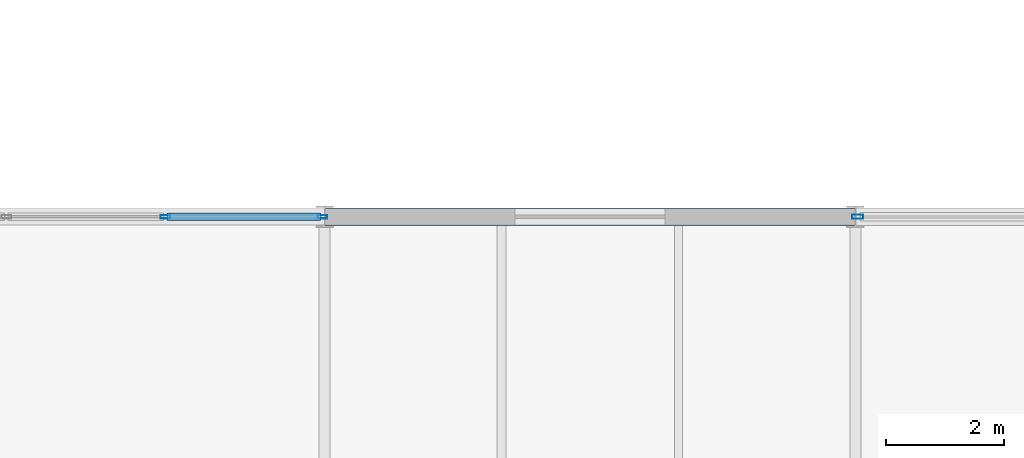
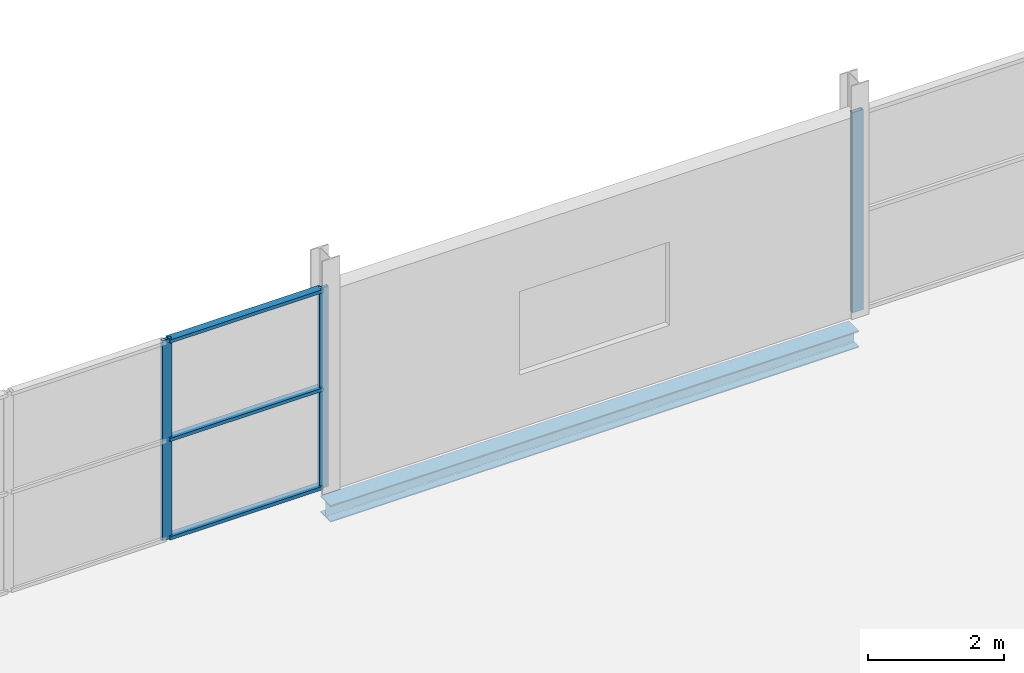
# One storey, part 69 of 103: 6 members, 1 beam, 2 elements without a shape of their own.
"""IFC4 building model written with IfcOpenShell, lengths in metres."""

from ifc_helpers import new_model, si_unit, direction, frame, origin, origin_2d, place, context, subcontext, project, spatial, hollow_rectangle, i_section, extrude, material, layer, layer_set, material_profile, profile_set, type_object, element, aggregate, save


model = new_model("IFC4")

# Units and contexts
model_context = context("Model", 3, precision=1e-05, world=origin(), true_north=direction((0.0, 1.0)))
body_context = subcontext(model_context, "Body", "Model", "MODEL_VIEW")
ifc_project = project(units=[si_unit("LENGTHUNIT", "METRE"), si_unit("AREAUNIT", "SQUARE_METRE"), si_unit("VOLUMEUNIT", "CUBIC_METRE"), si_unit("PLANEANGLEUNIT", "RADIAN"), si_unit("MASSUNIT", "GRAM", prefix="KILO")], contexts=[model_context])

# Site, building, storey
site_placement = place(None, origin())
site = spatial("IfcSite", under=ifc_project, at=site_placement, CompositionType="ELEMENT")
building_placement = place(site_placement, origin())
building = spatial("IfcBuilding", under=site, at=building_placement, Name="Deido Ridge Mobility Hub", CompositionType="ELEMENT")
storey_placement = place(building_placement, frame((0.0, 0.0, 12.60009765625)))
storey = spatial("IfcBuildingStorey", under=building, at=storey_placement, Name="L03", CompositionType="ELEMENT", Elevation=12.60009765625)

# Curtain wall, members
ifc_material_1 = material(Name="Anodised aluminium EN AW-6063 T6", Category="aluminium")
ifc_layer_1 = layer(ifc_material_1, 0.16796875, Name="Anodised aluminium EN AW-6063 T6")
ifc_layer_set_1 = layer_set([ifc_layer_1], Name="Anodised aluminium EN AW-6063 T6")
curtain_wall_type_1 = type_object("IfcCurtainWallType", Name="CW-GS-4", PredefinedType="USERDEFINED", material=ifc_layer_set_1)
curtain_wall_1_placement = place(storey_placement, origin())
curtain_wall_1 = element("IfcCurtainWall", 1, at=curtain_wall_1_placement, inside=storey, type_object=curtain_wall_type_1, Name="Unitised curtain wall GS4", ObjectType="GLAZED SCREEN", PredefinedType="USERDEFINED")
ifc_material_profile_1 = material_profile(ifc_material_1, hollow_rectangle(XDim=0.06005859375, YDim=0.159912109375, WallThickness=0.00390625, at=origin_2d()), Name="RHS 60x160x4")
ifc_profile_set_1 = profile_set([ifc_material_profile_1], Name="Anodised aluminium EN AW-6063 T6")
member_type_1 = type_object("IfcMemberType", Name="MEM-MUL-60X160", PredefinedType="MULLION", material=ifc_profile_set_1)
member_1_placement = place(storey_placement, frame((159.2978515625, 72.0, 0.0), z_axis=(0.0, 0.0, 1.0), x_axis=(0.0, 1.0, 0.0)))
member_1 = element("IfcMember", 2, at=member_1_placement, type_object=member_type_1, Name="GS4 mullion 3", PredefinedType="MULLION", context=body_context, shape_type="SweptSolid", body=[
    extrude(hollow_rectangle(XDim=0.06005859375, YDim=0.159912109375, WallThickness=0.00390625, at=origin_2d()), origin(), (0.0, 0.0, 1.0), 3.599853515625),
])
member_2_placement = place(storey_placement, frame((161.9638671875, 72.0, 0.0), z_axis=(0.0, 0.0, 1.0), x_axis=(0.0, 1.0, 0.0)))
member_2 = element("IfcMember", 3, at=member_2_placement, type_object=member_type_1, Name="GS4 mullion 4", PredefinedType="MULLION", context=body_context, shape_type="SweptSolid", body=[
    extrude(hollow_rectangle(XDim=0.06005859375, YDim=0.159912109375, WallThickness=0.00390625, at=origin_2d()), origin(), (0.0, 0.0, 1.0), 3.599853515625),
])

# Curtain wall, member
ifc_layer_2 = layer(ifc_material_1, 0.14404296875, Name="Anodised aluminium EN AW-6063 T6")
ifc_layer_set_2 = layer_set([ifc_layer_2], Name="Anodised aluminium EN AW-6063 T6")
curtain_wall_type_2 = type_object("IfcCurtainWallType", Name="CW-GS-2", PredefinedType="USERDEFINED", material=ifc_layer_set_2)
curtain_wall_2_placement = place(storey_placement, origin())
curtain_wall_2 = element("IfcCurtainWall", 4, at=curtain_wall_2_placement, inside=storey, type_object=curtain_wall_type_2, Name="Unitised curtain wall GS2", ObjectType="GLAZED SCREEN", PredefinedType="USERDEFINED")
ifc_material_profile_2 = material_profile(ifc_material_1, hollow_rectangle(XDim=0.070068359375, YDim=0.18994140625, WallThickness=0.00390625, at=origin_2d()), Name="RHS 70x190x4")
ifc_profile_set_2 = profile_set([ifc_material_profile_2], Name="Anodised aluminium EN AW-6063 T6")
member_type_2 = type_object("IfcMemberType", Name="MEM-MUL-70X190", PredefinedType="MULLION", material=ifc_profile_set_2)
member_3_placement = place(storey_placement, frame((171.041259765625, 72.0, 0.0), z_axis=(0.0, 0.0, 1.0), x_axis=(0.0, 1.0, 0.0)))
member_3 = element("IfcMember", 5, at=member_3_placement, type_object=member_type_2, Name="GS2 mullion 1", PredefinedType="MULLION", context=body_context, shape_type="SweptSolid", body=[
    extrude(hollow_rectangle(XDim=0.070068359375, YDim=0.18994140625, WallThickness=0.00390625, at=origin_2d()), origin(), (0.0, 0.0, 1.0), 3.599853515625),
])
aggregate(curtain_wall_2, [member_3])

# Member
ifc_material_profile_3 = material_profile(ifc_material_1, hollow_rectangle(XDim=0.125, YDim=0.06005859375, WallThickness=0.00390625, at=origin_2d()), Name="RHS 125x60x4")
ifc_profile_set_3 = profile_set([ifc_material_profile_3], Name="Anodised aluminium EN AW-6063 T6")
member_type_3 = type_object("IfcMemberType", Name="MEM-TRN-125X60", PredefinedType="USERDEFINED", material=ifc_profile_set_3)
member_4_placement = place(storey_placement, frame((159.327880859375, 72.0, 0.02978515625), z_axis=(1.0, 0.0, 0.0), x_axis=(0.0, 1.0, 0.0)))
member_4 = element("IfcMember", 6, at=member_4_placement, type_object=member_type_3, Name="GS4 transom 3.1", ObjectType="TRANSOM", PredefinedType="USERDEFINED", context=body_context, shape_type="SweptSolid", body=[
    extrude(hollow_rectangle(XDim=0.125, YDim=0.06005859375, WallThickness=0.00390625, at=origin_2d()), origin(), (0.0, 0.0, 1.0), 2.60595703125),
])

member_5_placement = place(storey_placement, frame((159.327880859375, 72.0, 1.7998046875), z_axis=(1.0, 0.0, 0.0), x_axis=(0.0, 1.0, 0.0)))
member_5 = element("IfcMember", 7, at=member_5_placement, type_object=member_type_3, Name="GS4 transom 3.2", ObjectType="TRANSOM", PredefinedType="USERDEFINED", context=body_context, shape_type="SweptSolid", body=[
    extrude(hollow_rectangle(XDim=0.125, YDim=0.06005859375, WallThickness=0.00390625, at=origin_2d()), origin(), (0.0, 0.0, 1.0), 2.60595703125),
])

member_6_placement = place(storey_placement, frame((159.327880859375, 72.0, 3.56982421875), z_axis=(1.0, 0.0, 0.0), x_axis=(0.0, 1.0, 0.0)))
member_6 = element("IfcMember", 8, at=member_6_placement, type_object=member_type_3, Name="GS4 transom 3.3", ObjectType="TRANSOM", PredefinedType="USERDEFINED", context=body_context, shape_type="SweptSolid", body=[
    extrude(hollow_rectangle(XDim=0.125, YDim=0.06005859375, WallThickness=0.00390625, at=origin_2d()), origin(), (0.0, 0.0, 1.0), 2.60595703125),
])

aggregate(curtain_wall_1, [member_1, member_2, member_4, member_5, member_6])

# Beam
ifc_material_2 = material(Name="Steel S355J2 EN 10025-2", Category="steel")
ifc_material_profile_4 = material_profile(ifc_material_2, i_section(OverallWidth=0.300048828125, OverallDepth=0.300048828125, WebThickness=0.010986328125, FlangeThickness=0.01904296875, FilletRadius=0.027099609375, at=origin_2d()), Name="HEB 300")
ifc_profile_set_4 = profile_set([ifc_material_profile_4], Name="Steel S355J2 EN 10025-2")
beam_type = type_object("IfcBeamType", Name="SPD-HEB300", PredefinedType="SPANDREL", material=ifc_profile_set_4)
beam_placement = place(storey_placement, frame((162.006103515625, 72.0, -0.4150390625), z_axis=(1.0, 0.0, 0.0), x_axis=(0.0, 1.0, 0.0)))
element("IfcBeam", 9, at=beam_placement, inside=storey, type_object=beam_type, Name="Floor beam SP1", PredefinedType="SPANDREL", context=body_context, shape_type="SweptSolid", body=[
    extrude(i_section(OverallWidth=0.300048828125, OverallDepth=0.300048828125, WebThickness=0.010986328125, FlangeThickness=0.01904296875, FilletRadius=0.027099609375, at=origin_2d()), origin(), (0.0, 0.0, 1.0), 8.98779296875),
])

save(model, "model.ifc")
